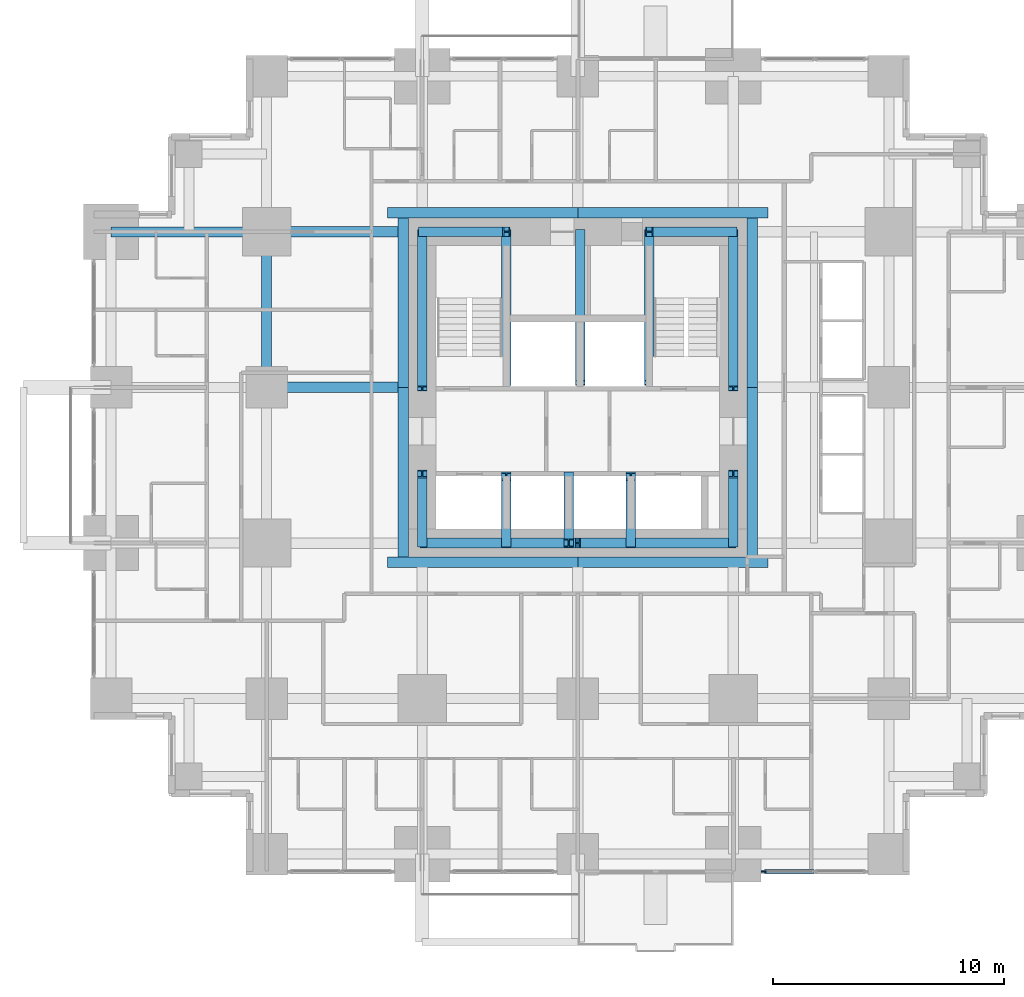
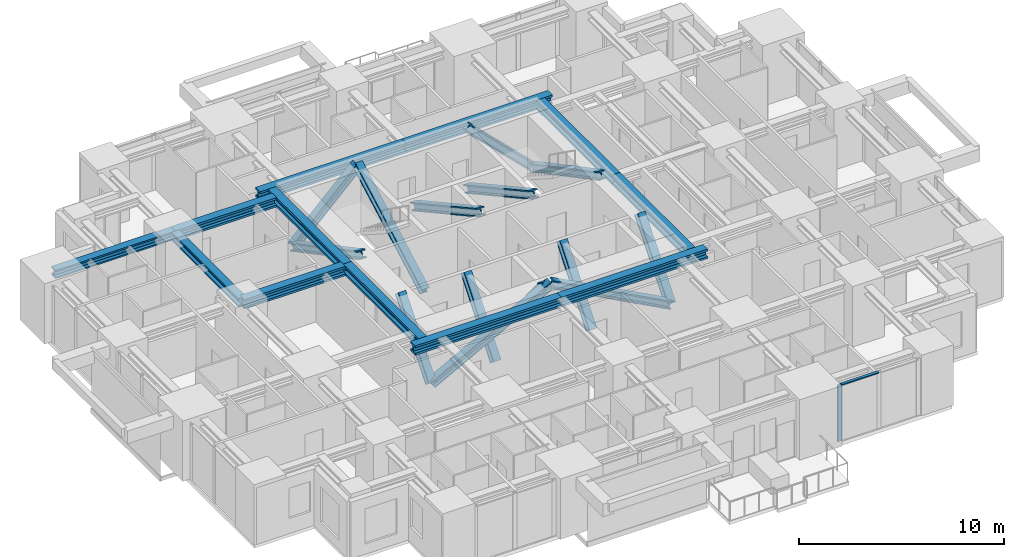
# One storey, part 3 of 13: 16 members, 12 beams, 1 element without a shape of its own.
"""IFC4 building model written with IfcOpenShell, lengths in metres."""

from ifc_helpers import new_model, si_unit, direction, frame, origin, origin_2d, place, context, subcontext, project, spatial, rectangle, i_section, extrude, material, material_profile, profile_set, type_object, element, aggregate, save


model = new_model("IFC4")

# Units and contexts
model_context = context("Model", 3, precision=1e-05, world=origin(), true_north=direction((0.0, 1.0)))
body_context = subcontext(model_context, "Body", "Model", "MODEL_VIEW")
ifc_project = project(units=[si_unit("LENGTHUNIT", "METRE"), si_unit("AREAUNIT", "SQUARE_METRE"), si_unit("VOLUMEUNIT", "CUBIC_METRE"), si_unit("PLANEANGLEUNIT", "RADIAN"), si_unit("MASSUNIT", "GRAM", prefix="KILO")], contexts=[model_context])

# Site, building, storey
site_placement = place(None, origin())
site = spatial("IfcSite", under=ifc_project, at=site_placement, CompositionType="ELEMENT")
building_placement = place(site_placement, origin())
building = spatial("IfcBuilding", under=site, at=building_placement, Name="Nyansa Garden Tower", CompositionType="ELEMENT")
storey_placement = place(building_placement, frame((0.0, 0.0, 83.699951171875)))
storey = spatial("IfcBuildingStorey", under=building, at=storey_placement, Name="L22", CompositionType="ELEMENT", Elevation=83.699951171875)

# Curtain wall, member
ifc_material_1 = material(Name="Black anodised aluminium, dark tinted double glazing", Category="aluminium")
curtain_wall_type = type_object("IfcCurtainWallType", Name="Inner skin curtain wall ISW-B", PredefinedType="USERDEFINED", material=ifc_material_1)
curtain_wall_placement = place(storey_placement, origin())
curtain_wall = element("IfcCurtainWall", 1, at=curtain_wall_placement, inside=storey, type_object=curtain_wall_type, Name="Inner skin curtain wall L22 S", ObjectType="UNITISED CURTAIN WALL", PredefinedType="USERDEFINED")
ifc_material_2 = material(Name="Black anodised aluminium", Category="aluminium")
ifc_material_profile_1 = material_profile(ifc_material_2, rectangle(XDim=0.06494140625, YDim=0.22509765625, at=origin_2d()), Name="Mullion 225x65")
ifc_profile_set_1 = profile_set([ifc_material_profile_1], Name="Black anodised aluminium")
member_type_1 = type_object("IfcMemberType", Name="Mullion ISW-B 225x65", PredefinedType="MULLION", material=ifc_profile_set_1)
member_1_placement = place(storey_placement, frame((28.3125, -0.75, 0.0), z_axis=(0.0, 0.0, 1.0), x_axis=(0.0, 1.0, 0.0)))
member_1 = element("IfcMember", 2, at=member_1_placement, type_object=member_type_1, Name="ISW-B mullion 1", PredefinedType="MULLION", context=body_context, shape_type="SweptSolid", body=[
    extrude(rectangle(XDim=0.06494140625, YDim=0.22509765625, at=origin_2d()), origin(), (0.0, 0.0, 1.0), 3.375),
])

# Members
ifc_material_3 = material(Name="Steel S355", Category="steel")
ifc_material_profile_2 = material_profile(ifc_material_3, i_section(OverallWidth=0.41796875, OverallDepth=0.455078125, WebThickness=0.0419921875, FlangeThickness=0.067626953125, FilletRadius=0.014892578125, at=origin_2d()), Name="HD 400x463")
ifc_profile_set_2 = profile_set([ifc_material_profile_2], Name="Steel S355")
member_type_2 = type_object("IfcMemberType", Name="Perimeter brace HD 400x463", PredefinedType="BRACE", material=ifc_profile_set_2)
for number, where, z_axis, x_axis, name in (
    (3, (13.5, 13.5, 0.0), (0.882347640589, 0.0, 0.47059817376), (0.0, 1.0, 0.0), "Core brace CS1 L22"),
    (4, (27.0, 13.5, 0.0), (-0.882347640589, 0.0, 0.47059817376), (0.0, -1.0, 0.0), "Core brace CS2 L22"),
):
    element("IfcMember", number, at=place(storey_placement, frame(where, z_axis=z_axis, x_axis=x_axis)), inside=storey, type_object=member_type_2, Name=name, PredefinedType="BRACE", context=body_context, shape_type="SweptSolid", body=[
        extrude(i_section(OverallWidth=0.41796875, OverallDepth=0.455078125, WebThickness=0.0419921875, FlangeThickness=0.067626953125, FilletRadius=0.014892578125, at=origin_2d()), origin(), (0.0, 0.0, 1.0), 7.650146484375),
    ])
for number, where, z_axis, x_axis, name in (
    (5, (13.5, 27.0, 0.0), (0.711947531702, 0.0, 0.702232662373), (0.0, 1.0, 0.0), "Core brace CN3 L22"),
    (6, (27.0, 27.0, 0.0), (-0.711947531702, 0.0, 0.702232662373), (0.0, -1.0, 0.0), "Core brace CN4 L22"),
):
    element("IfcMember", number, at=place(storey_placement, frame(where, z_axis=z_axis, x_axis=x_axis)), inside=storey, type_object=member_type_2, Name=name, PredefinedType="BRACE", context=body_context, shape_type="SweptSolid", body=[
        extrude(i_section(OverallWidth=0.41796875, OverallDepth=0.455078125, WebThickness=0.0419921875, FlangeThickness=0.067626953125, FilletRadius=0.014892578125, at=origin_2d()), origin(), (0.0, 0.0, 1.0), 5.126708984375),
    ])
member_2_placement = place(storey_placement, frame((13.5, 13.5, 0.0), z_axis=(0.0, 0.640174150918, 0.768229820104), x_axis=(-1.0, 0.0, 0.0)))
element("IfcMember", 7, at=member_2_placement, inside=storey, type_object=member_type_2, Name="Core brace CW5 L22", PredefinedType="BRACE", context=body_context, shape_type="SweptSolid", body=[
    extrude(i_section(OverallWidth=0.41796875, OverallDepth=0.455078125, WebThickness=0.0419921875, FlangeThickness=0.067626953125, FilletRadius=0.014892578125, at=origin_2d()), origin(), (0.0, 0.0, 1.0), 4.686279296875),
])
member_3_placement = place(storey_placement, frame((13.5, 27.0, 0.0), z_axis=(0.0, -0.883784057226, 0.467895009796), x_axis=(1.0, 0.0, 0.0)))
element("IfcMember", 8, at=member_3_placement, inside=storey, type_object=member_type_2, Name="Core brace CW6 L22", PredefinedType="BRACE", context=body_context, shape_type="SweptSolid", body=[
    extrude(i_section(OverallWidth=0.41796875, OverallDepth=0.455078125, WebThickness=0.0419921875, FlangeThickness=0.067626953125, FilletRadius=0.014892578125, at=origin_2d()), origin(), (0.0, 0.0, 1.0), 7.6943359375),
])
member_4_placement = place(storey_placement, frame((27.0, 13.5, 0.0), z_axis=(0.0, 0.640174150918, 0.768229820104), x_axis=(-1.0, 0.0, 0.0)))
element("IfcMember", 9, at=member_4_placement, inside=storey, type_object=member_type_2, Name="Core brace CE7 L22", PredefinedType="BRACE", context=body_context, shape_type="SweptSolid", body=[
    extrude(i_section(OverallWidth=0.41796875, OverallDepth=0.455078125, WebThickness=0.0419921875, FlangeThickness=0.067626953125, FilletRadius=0.014892578125, at=origin_2d()), origin(), (0.0, 0.0, 1.0), 4.686279296875),
])
member_5_placement = place(storey_placement, frame((27.0, 27.0, 0.0), z_axis=(0.0, -0.883784057226, 0.467895009796), x_axis=(1.0, 0.0, 0.0)))
element("IfcMember", 10, at=member_5_placement, inside=storey, type_object=member_type_2, Name="Core brace CE8 L22", PredefinedType="BRACE", context=body_context, shape_type="SweptSolid", body=[
    extrude(i_section(OverallWidth=0.41796875, OverallDepth=0.455078125, WebThickness=0.0419921875, FlangeThickness=0.067626953125, FilletRadius=0.014892578125, at=origin_2d()), origin(), (0.0, 0.0, 1.0), 7.6943359375),
])
for number, where, z_axis, x_axis, name in (
    (11, (17.14990234375, 20.449951171875, 0.0), (0.0, 0.876353113771, 0.481669201822), (-1.0, 0.0, 0.0), "Core brace CWS9 L22"),
    (12, (23.35009765625, 27.0, 0.0), (0.0, -0.876353113771, 0.481669201822), (1.0, 0.0, 0.0), "Core brace CES10 L22"),
):
    element("IfcMember", number, at=place(storey_placement, frame(where, z_axis=z_axis, x_axis=x_axis)), inside=storey, type_object=member_type_2, Name=name, PredefinedType="BRACE", context=body_context, shape_type="SweptSolid", body=[
        extrude(i_section(OverallWidth=0.41796875, OverallDepth=0.455078125, WebThickness=0.0419921875, FlangeThickness=0.067626953125, FilletRadius=0.014892578125, at=origin_2d()), origin(), (0.0, 0.0, 1.0), 7.47412109375),
    ])
for number, where, z_axis, x_axis, name in (
    (13, (17.14990234375, 13.5, 0.0), (0.0, 0.627306405886, 0.778772542617), (-1.0, 0.0, 0.0), "Core brace CSW11 L22"),
    (14, (19.85009765625, 16.39990234375, 0.0), (0.0, -0.627306405886, 0.778772542617), (1.0, 0.0, 0.0), "Core brace CSW12 L22"),
    (15, (22.550048828125, 13.5, 0.0), (0.0, 0.627306405886, 0.778772542617), (-1.0, 0.0, 0.0), "Core brace CSW13 L22"),
):
    element("IfcMember", number, at=place(storey_placement, frame(where, z_axis=z_axis, x_axis=x_axis)), inside=storey, type_object=member_type_2, Name=name, PredefinedType="BRACE", context=body_context, shape_type="SweptSolid", body=[
        extrude(i_section(OverallWidth=0.41796875, OverallDepth=0.455078125, WebThickness=0.0419921875, FlangeThickness=0.067626953125, FilletRadius=0.014892578125, at=origin_2d()), origin(), (0.0, 0.0, 1.0), 4.622802734375),
    ])
member_6_placement = place(storey_placement, frame((20.35009765625, 27.0, 0.0), z_axis=(0.0, -0.876353113771, 0.481669201822), x_axis=(1.0, 0.0, 0.0)))
element("IfcMember", 16, at=member_6_placement, inside=storey, type_object=member_type_2, Name="Core brace CNW14 L22", PredefinedType="BRACE", context=body_context, shape_type="SweptSolid", body=[
    extrude(i_section(OverallWidth=0.41796875, OverallDepth=0.455078125, WebThickness=0.0419921875, FlangeThickness=0.067626953125, FilletRadius=0.014892578125, at=origin_2d()), origin(), (0.0, 0.0, 1.0), 7.47412109375),
])

# Beams
ifc_material_4 = material(Name="Steel S355", Category="steel")
ifc_material_profile_3 = material_profile(ifc_material_4, i_section(OverallWidth=0.431884765625, OverallDepth=0.498046875, WebThickness=0.0556640625, FlangeThickness=0.0888671875, FilletRadius=0.014892578125, at=origin_2d()), Name="HD 400x744")
ifc_profile_set_3 = profile_set([ifc_material_profile_3], Name="Steel S355")
beam_type_1 = type_object("IfcBeamType", Name="Steel beam SBB1-744 HD 400x744", PredefinedType="BEAM", material=ifc_profile_set_3)
for number, where, z_axis, x_axis, name in (
    (17, (0.0, 27.0, 3.1259765625), (1.0, 0.0, 0.0), (0.0, 1.0, 0.0), "Steel beam 2/H-3/H L23"),
    (18, (6.75, 20.25, 3.1259765625), (0.0, 1.0, 0.0), (-1.0, 0.0, 0.0), "Steel beam 3/G-3/H L23"),
):
    element("IfcBeam", number, at=place(storey_placement, frame(where, z_axis=z_axis, x_axis=x_axis)), inside=storey, type_object=beam_type_1, Name=name, PredefinedType="BEAM", context=body_context, shape_type="SweptSolid", body=[
        extrude(i_section(OverallWidth=0.431884765625, OverallDepth=0.498046875, WebThickness=0.0556640625, FlangeThickness=0.0888671875, FilletRadius=0.014892578125, at=origin_2d()), origin(), (0.0, 0.0, 1.0), 6.75),
    ])
ifc_material_5 = material(Name="Steel S355", Category="steel")
ifc_material_profile_4 = material_profile(ifc_material_5, i_section(OverallWidth=0.4541015625, OverallDepth=0.569091796875, WebThickness=0.077880859375, FlangeThickness=0.125, FilletRadius=0.014892578125, at=origin_2d()), Name="HD 400x1086")
ifc_profile_set_4 = profile_set([ifc_material_profile_4], Name="Steel S355")
beam_type_2 = type_object("IfcBeamType", Name="Steel beam SCL-1086 HD 400x1086", PredefinedType="BEAM", material=ifc_profile_set_4)
for number, where, z_axis, x_axis, name in (
    (19, (6.75, 20.25, 3.090576171875), (1.0, 0.0, 0.0), (0.0, 1.0, 0.0), "Steel beam 3/G-12.450/G L23"),
    (20, (6.75, 27.0, 3.090576171875), (1.0, 0.0, 0.0), (0.0, 1.0, 0.0), "Steel beam 3/H-12.450/H L23"),
):
    element("IfcBeam", number, at=place(storey_placement, frame(where, z_axis=z_axis, x_axis=x_axis)), inside=storey, type_object=beam_type_2, Name=name, PredefinedType="BEAM", context=body_context, shape_type="SweptSolid", body=[
        extrude(i_section(OverallWidth=0.4541015625, OverallDepth=0.569091796875, WebThickness=0.077880859375, FlangeThickness=0.125, FilletRadius=0.014892578125, at=origin_2d()), origin(), (0.0, 0.0, 1.0), 5.699951171875),
    ])
for number, where, z_axis, x_axis, name in (
    (21, (12.0, 12.673095703125, 3.090576171875), (1.0, 0.0, 0.0), (0.0, 1.0, 0.0), "Steel core ledger beam S.1 L23"),
    (22, (20.25, 12.673095703125, 3.090576171875), (1.0, 0.0, 0.0), (0.0, 1.0, 0.0), "Steel core ledger beam S.2 L23"),
):
    element("IfcBeam", number, at=place(storey_placement, frame(where, z_axis=z_axis, x_axis=x_axis)), inside=storey, type_object=beam_type_2, Name=name, PredefinedType="BEAM", context=body_context, shape_type="SweptSolid", body=[
        extrude(i_section(OverallWidth=0.4541015625, OverallDepth=0.569091796875, WebThickness=0.077880859375, FlangeThickness=0.125, FilletRadius=0.014892578125, at=origin_2d()), origin(), (0.0, 0.0, 1.0), 8.25),
    ])
for number, where, z_axis, x_axis, name in (
    (23, (27.826904296875, 12.89990234375, 3.090576171875), (0.0, 1.0, 0.0), (-1.0, 0.0, 0.0), "Steel core ledger beam E.1 L23"),
    (24, (27.826904296875, 20.25, 3.090576171875), (0.0, 1.0, 0.0), (-1.0, 0.0, 0.0), "Steel core ledger beam E.2 L23"),
):
    element("IfcBeam", number, at=place(storey_placement, frame(where, z_axis=z_axis, x_axis=x_axis)), inside=storey, type_object=beam_type_2, Name=name, PredefinedType="BEAM", context=body_context, shape_type="SweptSolid", body=[
        extrude(i_section(OverallWidth=0.4541015625, OverallDepth=0.569091796875, WebThickness=0.077880859375, FlangeThickness=0.125, FilletRadius=0.014892578125, at=origin_2d()), origin(), (0.0, 0.0, 1.0), 7.35009765625),
    ])
for number, where, z_axis, x_axis, name in (
    (25, (28.5, 27.826904296875, 3.090576171875), (-1.0, 0.0, 0.0), (0.0, -1.0, 0.0), "Steel core ledger beam N.1 L23"),
    (26, (20.25, 27.826904296875, 3.090576171875), (-1.0, 0.0, 0.0), (0.0, -1.0, 0.0), "Steel core ledger beam N.2 L23"),
):
    element("IfcBeam", number, at=place(storey_placement, frame(where, z_axis=z_axis, x_axis=x_axis)), inside=storey, type_object=beam_type_2, Name=name, PredefinedType="BEAM", context=body_context, shape_type="SweptSolid", body=[
        extrude(i_section(OverallWidth=0.4541015625, OverallDepth=0.569091796875, WebThickness=0.077880859375, FlangeThickness=0.125, FilletRadius=0.014892578125, at=origin_2d()), origin(), (0.0, 0.0, 1.0), 8.25),
    ])
for number, where, z_axis, x_axis, name in (
    (27, (12.673095703125, 27.60009765625, 3.090576171875), (0.0, -1.0, 0.0), (1.0, 0.0, 0.0), "Steel core ledger beam W.1 L23"),
    (28, (12.673095703125, 20.25, 3.090576171875), (0.0, -1.0, 0.0), (1.0, 0.0, 0.0), "Steel core ledger beam W.2 L23"),
):
    element("IfcBeam", number, at=place(storey_placement, frame(where, z_axis=z_axis, x_axis=x_axis)), inside=storey, type_object=beam_type_2, Name=name, PredefinedType="BEAM", context=body_context, shape_type="SweptSolid", body=[
        extrude(i_section(OverallWidth=0.4541015625, OverallDepth=0.569091796875, WebThickness=0.077880859375, FlangeThickness=0.125, FilletRadius=0.014892578125, at=origin_2d()), origin(), (0.0, 0.0, 1.0), 7.35009765625),
    ])

# Member
ifc_material_6 = material(Name="Black anodised aluminium", Category="aluminium")
ifc_material_profile_5 = material_profile(ifc_material_6, rectangle(XDim=0.1650390625, YDim=0.06494140625, at=origin_2d()), Name="Transom 165x65")
ifc_profile_set_5 = profile_set([ifc_material_profile_5], Name="Black anodised aluminium")
member_type_3 = type_object("IfcMemberType", Name="Transom ISW-B 165x65", PredefinedType="USERDEFINED", material=ifc_profile_set_5)
member_7_placement = place(storey_placement, frame((28.344970703125, -0.75, 3.342529296875), z_axis=(1.0, 0.0, 0.0), x_axis=(0.0, 1.0, 0.0)))
member_7 = element("IfcMember", 29, at=member_7_placement, type_object=member_type_3, Name="ISW-B transom 1", ObjectType="TRANSOM", PredefinedType="USERDEFINED", context=body_context, shape_type="SweptSolid", body=[
    extrude(rectangle(XDim=0.1650390625, YDim=0.06494140625, at=origin_2d()), origin(), (0.0, 0.0, 1.0), 2.1474609375),
])

aggregate(curtain_wall, [member_1, member_7])

save(model, "model.ifc")
